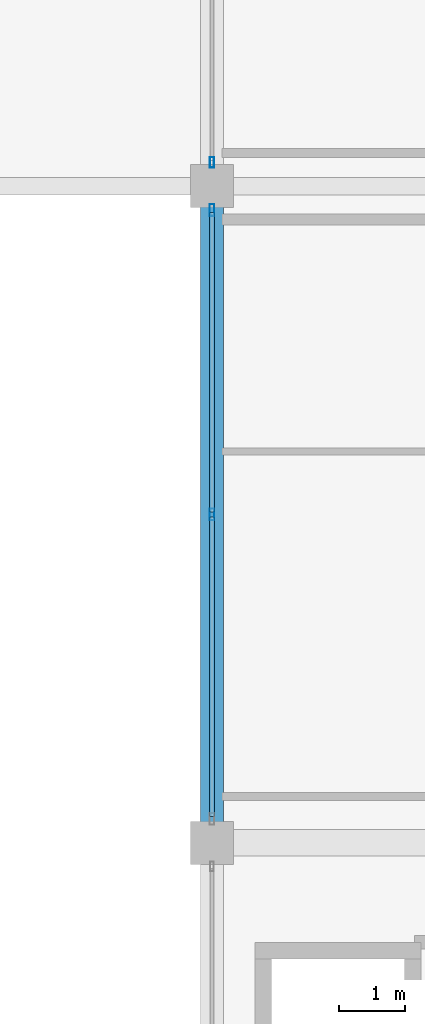
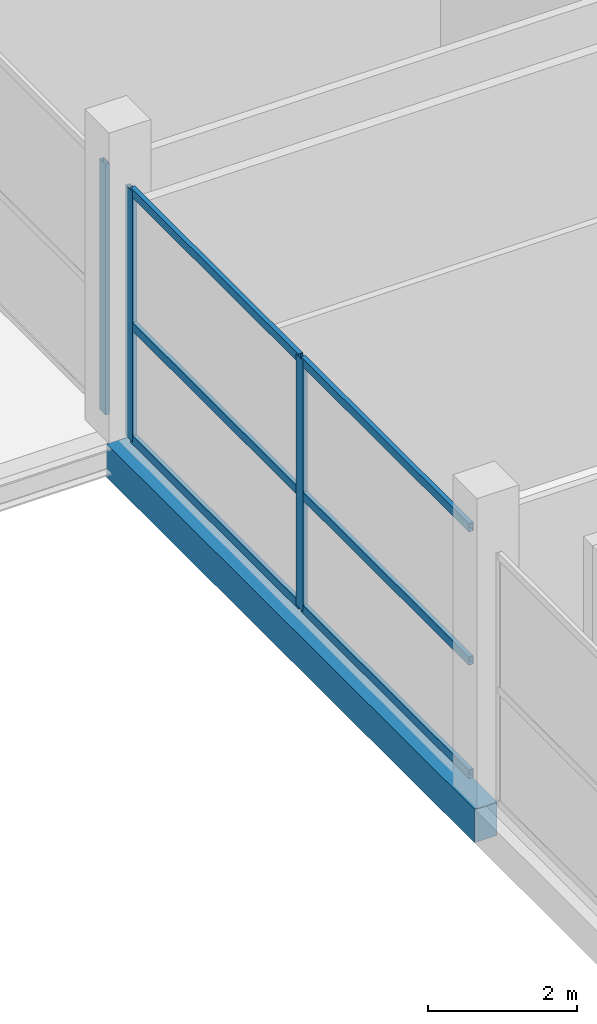
# One storey, part 21 of 66: 9 members, 1 beam, 2 elements without a shape of their own.
"""IFC4 building model written with IfcOpenShell, lengths in metres."""

from ifc_helpers import new_model, si_unit, direction, frame, origin, origin_2d, place, context, subcontext, project, spatial, rectangle, hollow_rectangle, extrude, material, layer, layer_set, material_profile, profile_set, type_object, element, aggregate, save


model = new_model("IFC4")

# Units and contexts
model_context = context("Model", 3, precision=1e-05, world=origin(), true_north=direction((0.0, 1.0)))
body_context = subcontext(model_context, "Body", "Model", "MODEL_VIEW")
ifc_project = project(units=[si_unit("LENGTHUNIT", "METRE"), si_unit("AREAUNIT", "SQUARE_METRE"), si_unit("VOLUMEUNIT", "CUBIC_METRE"), si_unit("PLANEANGLEUNIT", "RADIAN"), si_unit("MASSUNIT", "GRAM", prefix="KILO")], contexts=[model_context])

# Site, building, storey
site_placement = place(None, origin())
site = spatial("IfcSite", under=ifc_project, at=site_placement, CompositionType="ELEMENT")
building_placement = place(site_placement, origin())
building = spatial("IfcBuilding", under=site, at=building_placement, Name="Sillaruma Civic Art Gallery", CompositionType="ELEMENT")
storey_placement = place(building_placement, frame((0.0, 0.0, 57.1201171875)))
storey = spatial("IfcBuildingStorey", under=building, at=storey_placement, Name="L11", CompositionType="ELEMENT", Elevation=57.1201171875)

# Beam
ifc_material_1 = material(Name="Concrete H35 (35 MPa)", Category="concrete")
ifc_material_profile_1 = material_profile(ifc_material_1, rectangle(XDim=0.35009765625, YDim=0.550048828125, at=origin_2d()), Name="RCB350x550")
ifc_profile_set_1 = profile_set([ifc_material_profile_1], Name="Concrete H35 (35 MPa)")
beam_type = type_object("IfcBeamType", Name="BM-SPANDREL-RCB350x550", PredefinedType="SPANDREL", material=ifc_profile_set_1)
beam_placement = place(storey_placement, frame((62.0, 49.5, -0.525146484375), z_axis=(0.0, 1.0, 0.0), x_axis=(-1.0, 0.0, 0.0)))
element("IfcBeam", 1, at=beam_placement, inside=storey, type_object=beam_type, Name="Beam BS-04 (L10:F:6-7)", PredefinedType="SPANDREL", context=body_context, shape_type="SweptSolid", body=[
    extrude(rectangle(XDim=0.35009765625, YDim=0.550048828125, at=origin_2d()), origin(), (0.0, 0.0, 1.0), 9.89990234375),
])

# Curtain wall, member
ifc_material_2 = material(Name="Thermally Broken Extruded Aluminium 6063-T6", Category="aluminium")
ifc_layer_1 = layer(ifc_material_2, 0.159912109375, Name="Thermally Broken Extruded Aluminium 6063-T6")
ifc_layer_set_1 = layer_set([ifc_layer_1], Name="Thermally Broken Extruded Aluminium 6063-T6")
curtain_wall_type_1 = type_object("IfcCurtainWallType", Name="CW-UNI-69", PredefinedType="NOTDEFINED", material=ifc_layer_set_1)
curtain_wall_1_placement = place(storey_placement, origin())
curtain_wall_1 = element("IfcCurtainWall", 2, at=curtain_wall_1_placement, inside=storey, type_object=curtain_wall_type_1, Name="Unitised Curtain Wall CW-69 (CW-L11-WBW-5)", PredefinedType="NOTDEFINED")
ifc_material_profile_2 = material_profile(ifc_material_2, hollow_rectangle(XDim=0.06494140625, YDim=0.159912109375, WallThickness=0.00390625, at=origin_2d()), Name="CWM65x160")
ifc_profile_set_2 = profile_set([ifc_material_profile_2], Name="Thermally Broken Extruded Aluminium 6063-T6")
member_type_1 = type_object("IfcMemberType", Name="MEM-MUL-CWM65x160", PredefinedType="MULLION", material=ifc_profile_set_2)
member_1_placement = place(storey_placement, frame((62.0, 59.757568359375, 0.0), z_axis=(0.0, 0.0, 1.0), x_axis=(-1.0, 0.0, 0.0)))
member_1 = element("IfcMember", 3, at=member_1_placement, type_object=member_type_1, Name="CW-69 mullion 1", PredefinedType="MULLION", context=body_context, shape_type="SweptSolid", body=[
    extrude(hollow_rectangle(XDim=0.06494140625, YDim=0.159912109375, WallThickness=0.00390625, at=origin_2d()), origin(), (0.0, 0.0, 1.0), 4.119873046875),
])
aggregate(curtain_wall_1, [member_1])

# Curtain wall, members
ifc_layer_2 = layer(ifc_material_2, 0.179931640625, Name="Thermally Broken Extruded Aluminium 6063-T6")
ifc_layer_set_2 = layer_set([ifc_layer_2], Name="Thermally Broken Extruded Aluminium 6063-T6")
curtain_wall_type_2 = type_object("IfcCurtainWallType", Name="CW-UNI-66", PredefinedType="NOTDEFINED", material=ifc_layer_set_2)
curtain_wall_2_placement = place(storey_placement, origin())
curtain_wall_2 = element("IfcCurtainWall", 4, at=curtain_wall_2_placement, inside=storey, type_object=curtain_wall_type_2, Name="Unitised Curtain Wall CW-66 (CW-L11-WBW-4)", PredefinedType="NOTDEFINED")
ifc_material_profile_3 = material_profile(ifc_material_2, hollow_rectangle(XDim=0.070068359375, YDim=0.179931640625, WallThickness=0.00390625, at=origin_2d()), Name="CWM70x180")
ifc_profile_set_3 = profile_set([ifc_material_profile_3], Name="Thermally Broken Extruded Aluminium 6063-T6")
member_type_2 = type_object("IfcMemberType", Name="MEM-MUL-CWM70x180", PredefinedType="MULLION", material=ifc_profile_set_3)
member_2_placement = place(storey_placement, frame((62.0, 54.449951171875, 0.0), z_axis=(0.0, 0.0, 1.0), x_axis=(-1.0, 0.0, 0.0)))
member_2 = element("IfcMember", 5, at=member_2_placement, type_object=member_type_2, Name="CW-66 mullion 2", PredefinedType="MULLION", context=body_context, shape_type="SweptSolid", body=[
    extrude(hollow_rectangle(XDim=0.070068359375, YDim=0.179931640625, WallThickness=0.00390625, at=origin_2d()), origin(), (0.0, 0.0, 1.0), 4.119873046875),
])
member_3_placement = place(storey_placement, frame((62.0, 59.0400390625, 0.0), z_axis=(0.0, 0.0, 1.0), x_axis=(-1.0, 0.0, 0.0)))
member_3 = element("IfcMember", 6, at=member_3_placement, type_object=member_type_2, Name="CW-66 mullion 3", PredefinedType="MULLION", context=body_context, shape_type="SweptSolid", body=[
    extrude(hollow_rectangle(XDim=0.070068359375, YDim=0.179931640625, WallThickness=0.00390625, at=origin_2d()), origin(), (0.0, 0.0, 1.0), 4.119873046875),
])
ifc_material_profile_4 = material_profile(ifc_material_2, hollow_rectangle(XDim=0.070068359375, YDim=0.139892578125, WallThickness=0.00390625, at=origin_2d()), Name="CWT70x140")
ifc_profile_set_4 = profile_set([ifc_material_profile_4], Name="Thermally Broken Extruded Aluminium 6063-T6")
member_type_3 = type_object("IfcMemberType", Name="MEM-TRN-CWT70x140", PredefinedType="USERDEFINED", material=ifc_profile_set_4)
member_4_placement = place(storey_placement, frame((62.0, 49.89501953125, 0.034912109375), z_axis=(0.0, 1.0, 0.0), x_axis=(-1.0, 0.0, 0.0)))
member_4 = element("IfcMember", 7, at=member_4_placement, type_object=member_type_3, Name="CW-66 transom 1.1", ObjectType="TRANSOM", PredefinedType="USERDEFINED", context=body_context, shape_type="SweptSolid", body=[
    extrude(hollow_rectangle(XDim=0.070068359375, YDim=0.139892578125, WallThickness=0.00390625, at=origin_2d()), origin(), (0.0, 0.0, 1.0), 4.52001953125),
])
member_5_placement = place(storey_placement, frame((62.0, 49.89501953125, 1.89501953125), z_axis=(0.0, 1.0, 0.0), x_axis=(-1.0, 0.0, 0.0)))
member_5 = element("IfcMember", 8, at=member_5_placement, type_object=member_type_3, Name="CW-66 transom 1.2", ObjectType="TRANSOM", PredefinedType="USERDEFINED", context=body_context, shape_type="SweptSolid", body=[
    extrude(hollow_rectangle(XDim=0.070068359375, YDim=0.139892578125, WallThickness=0.00390625, at=origin_2d()), origin(), (0.0, 0.0, 1.0), 4.52001953125),
])
member_6_placement = place(storey_placement, frame((62.0, 49.89501953125, 4.0849609375), z_axis=(0.0, 1.0, 0.0), x_axis=(-1.0, 0.0, 0.0)))
member_6 = element("IfcMember", 9, at=member_6_placement, type_object=member_type_3, Name="CW-66 transom 1.3", ObjectType="TRANSOM", PredefinedType="USERDEFINED", context=body_context, shape_type="SweptSolid", body=[
    extrude(hollow_rectangle(XDim=0.070068359375, YDim=0.139892578125, WallThickness=0.00390625, at=origin_2d()), origin(), (0.0, 0.0, 1.0), 4.52001953125),
])
member_7_placement = place(storey_placement, frame((62.0, 54.485107421875, 0.034912109375), z_axis=(0.0, 1.0, 0.0), x_axis=(-1.0, 0.0, 0.0)))
member_7 = element("IfcMember", 10, at=member_7_placement, type_object=member_type_3, Name="CW-66 transom 2.1", ObjectType="TRANSOM", PredefinedType="USERDEFINED", context=body_context, shape_type="SweptSolid", body=[
    extrude(hollow_rectangle(XDim=0.070068359375, YDim=0.139892578125, WallThickness=0.00390625, at=origin_2d()), origin(), (0.0, 0.0, 1.0), 4.519775390625),
])
member_8_placement = place(storey_placement, frame((62.0, 54.485107421875, 1.89501953125), z_axis=(0.0, 1.0, 0.0), x_axis=(-1.0, 0.0, 0.0)))
member_8 = element("IfcMember", 11, at=member_8_placement, type_object=member_type_3, Name="CW-66 transom 2.2", ObjectType="TRANSOM", PredefinedType="USERDEFINED", context=body_context, shape_type="SweptSolid", body=[
    extrude(hollow_rectangle(XDim=0.070068359375, YDim=0.139892578125, WallThickness=0.00390625, at=origin_2d()), origin(), (0.0, 0.0, 1.0), 4.519775390625),
])
member_9_placement = place(storey_placement, frame((62.0, 54.485107421875, 4.0849609375), z_axis=(0.0, 1.0, 0.0), x_axis=(-1.0, 0.0, 0.0)))
member_9 = element("IfcMember", 12, at=member_9_placement, type_object=member_type_3, Name="CW-66 transom 2.3", ObjectType="TRANSOM", PredefinedType="USERDEFINED", context=body_context, shape_type="SweptSolid", body=[
    extrude(hollow_rectangle(XDim=0.070068359375, YDim=0.139892578125, WallThickness=0.00390625, at=origin_2d()), origin(), (0.0, 0.0, 1.0), 4.519775390625),
])
aggregate(curtain_wall_2, [member_2, member_3, member_4, member_5, member_6, member_7, member_8, member_9])

save(model, "model.ifc")
